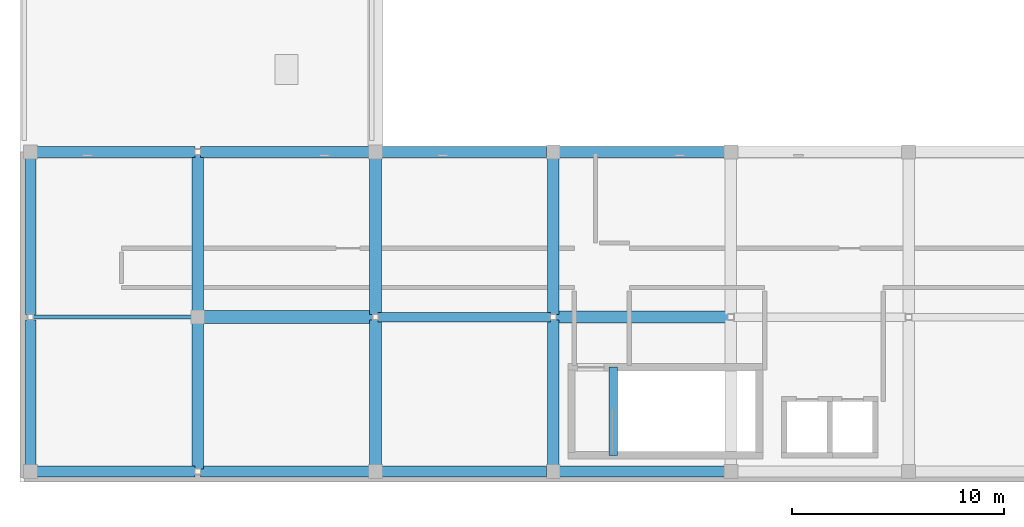
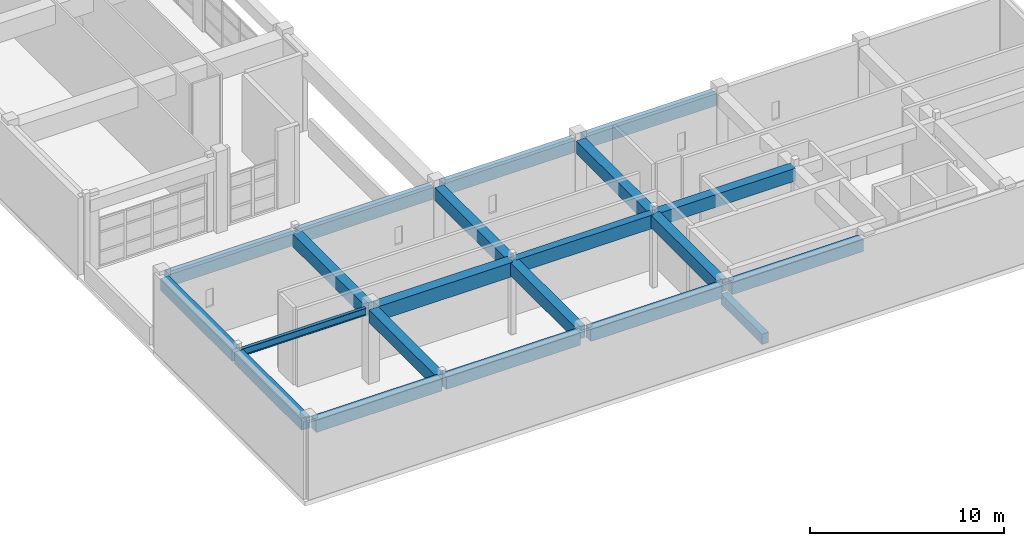
# One storey, part 10 of 78: 21 beams.
"""IFC4 building model written with IfcOpenShell, lengths in metres."""

from ifc_helpers import new_model, si_unit, direction, frame, origin, origin_2d, place, context, subcontext, project, spatial, rectangle, i_section, extrude, material, material_profile, profile_set, type_object, element, save


model = new_model("IFC4")

# Units and contexts
model_context = context("Model", 3, precision=1e-05, world=origin(), true_north=direction((0.0, 1.0)))
body_context = subcontext(model_context, "Body", "Model", "MODEL_VIEW")
ifc_project = project(units=[si_unit("LENGTHUNIT", "METRE"), si_unit("AREAUNIT", "SQUARE_METRE"), si_unit("VOLUMEUNIT", "CUBIC_METRE"), si_unit("PLANEANGLEUNIT", "RADIAN"), si_unit("MASSUNIT", "GRAM", prefix="KILO")], contexts=[model_context])

# Site, building, storey
site_placement = place(None, origin())
site = spatial("IfcSite", under=ifc_project, at=site_placement, CompositionType="ELEMENT")
building_placement = place(site_placement, origin())
building = spatial("IfcBuilding", under=site, at=building_placement, Name="Quendrovan Civic Courthouse", CompositionType="ELEMENT")
storey_placement = place(building_placement, frame((0.0, 0.0, 20.39990234375)))
storey = spatial("IfcBuildingStorey", under=building, at=storey_placement, Name="L05", CompositionType="ELEMENT", Elevation=20.39990234375)

# Beams
ifc_material_1 = material(Name="Concrete C40/50", Category="concrete")
ifc_material_profile_1 = material_profile(ifc_material_1, rectangle(XDim=0.39990234375, YDim=0.64990234375, at=origin_2d()), Name="RC-BM-400x650")
ifc_profile_set_1 = profile_set([ifc_material_profile_1], Name="Concrete C40/50")
beam_type_1 = type_object("IfcBeamType", Name="BM-RC650", PredefinedType="JOIST", material=ifc_profile_set_1)
beam_1_placement = place(storey_placement, frame((28.050048828125, 1.25, -0.324951171875), z_axis=(0.0, 1.0, 0.0), x_axis=(-1.0, 0.0, 0.0)))
element("IfcBeam", 1, at=beam_1_placement, inside=storey, type_object=beam_type_1, Name="L05 Stair ST5 Landing Trimmer Beam", PredefinedType="JOIST", context=body_context, shape_type="SweptSolid", body=[
    extrude(rectangle(XDim=0.39990234375, YDim=0.64990234375, at=origin_2d()), origin(), (0.0, 0.0, 1.0), 4.199951171875),
])
ifc_material_profile_2 = material_profile(ifc_material_1, rectangle(XDim=0.5, YDim=0.75, at=origin_2d()), Name="RC-BM-500x750")
ifc_profile_set_2 = profile_set([ifc_material_profile_2], Name="Concrete C40/50")
beam_type_2 = type_object("IfcBeamType", Name="BM-RC750", PredefinedType="SPANDREL", material=ifc_profile_set_2)
beam_2_placement = place(storey_placement, frame((0.804931640625, 0.5, 4.28515625), z_axis=(1.0, 0.0, 0.0), x_axis=(0.0, 1.0, 0.0)))
element("IfcBeam", 2, at=beam_2_placement, inside=storey, type_object=beam_type_2, Name="L05 Girder X1003", PredefinedType="SPANDREL", context=body_context, shape_type="SweptSolid", body=[
    extrude(rectangle(XDim=0.5, YDim=0.75, at=origin_2d()), origin(), (0.0, 0.0, 1.0), 7.465087890625),
])
beam_3_placement = place(storey_placement, frame((8.530029296875, 0.5, 4.28515625), z_axis=(1.0, 0.0, 0.0), x_axis=(0.0, 1.0, 0.0)))
element("IfcBeam", 3, at=beam_3_placement, inside=storey, type_object=beam_type_2, Name="L05 Girder X1004", PredefinedType="SPANDREL", context=body_context, shape_type="SweptSolid", body=[
    extrude(rectangle(XDim=0.5, YDim=0.75, at=origin_2d()), origin(), (0.0, 0.0, 1.0), 7.965087890625),
])
for number, where, z_axis, x_axis, name in (
    (4, (17.10498046875, 0.5, 4.28515625), (1.0, 0.0, 0.0), (0.0, 1.0, 0.0), "L05 Girder X1005"),
    (5, (25.5048828125, 0.5, 4.28515625), (1.0, 0.0, 0.0), (0.0, 1.0, 0.0), "L05 Girder X1006"),
):
    element("IfcBeam", number, at=place(storey_placement, frame(where, z_axis=z_axis, x_axis=x_axis)), inside=storey, type_object=beam_type_2, Name=name, PredefinedType="SPANDREL", context=body_context, shape_type="SweptSolid", body=[
        extrude(rectangle(XDim=0.5, YDim=0.75, at=origin_2d()), origin(), (0.0, 0.0, 1.0), 7.7900390625),
    ])
beam_4_placement = place(storey_placement, frame((0.804931640625, 15.60009765625, 4.28515625), z_axis=(1.0, 0.0, 0.0), x_axis=(0.0, 1.0, 0.0)))
element("IfcBeam", 6, at=beam_4_placement, inside=storey, type_object=beam_type_2, Name="L05 Girder X1017", PredefinedType="SPANDREL", context=body_context, shape_type="SweptSolid", body=[
    extrude(rectangle(XDim=0.5, YDim=0.75, at=origin_2d()), origin(), (0.0, 0.0, 1.0), 7.465087890625),
])
beam_5_placement = place(storey_placement, frame((8.530029296875, 15.60009765625, 4.28515625), z_axis=(1.0, 0.0, 0.0), x_axis=(0.0, 1.0, 0.0)))
element("IfcBeam", 7, at=beam_5_placement, inside=storey, type_object=beam_type_2, Name="L05 Girder X1018", PredefinedType="SPANDREL", context=body_context, shape_type="SweptSolid", body=[
    extrude(rectangle(XDim=0.5, YDim=0.75, at=origin_2d()), origin(), (0.0, 0.0, 1.0), 7.965087890625),
])
for number, where, z_axis, x_axis, name in (
    (8, (17.10498046875, 15.60009765625, 4.28515625), (1.0, 0.0, 0.0), (0.0, 1.0, 0.0), "L05 Girder X1019"),
    (9, (25.5048828125, 15.60009765625, 4.28515625), (1.0, 0.0, 0.0), (0.0, 1.0, 0.0), "L05 Girder X1020"),
):
    element("IfcBeam", number, at=place(storey_placement, frame(where, z_axis=z_axis, x_axis=x_axis)), inside=storey, type_object=beam_type_2, Name=name, PredefinedType="SPANDREL", context=body_context, shape_type="SweptSolid", body=[
        extrude(rectangle(XDim=0.5, YDim=0.75, at=origin_2d()), origin(), (0.0, 0.0, 1.0), 7.7900390625),
    ])
beam_6_placement = place(storey_placement, frame((0.5, 0.804931640625, 4.28515625), z_axis=(0.0, 1.0, 0.0), x_axis=(-1.0, 0.0, 0.0)))
element("IfcBeam", 10, at=beam_6_placement, inside=storey, type_object=beam_type_2, Name="L05 Girder Y1050", PredefinedType="SPANDREL", context=body_context, shape_type="SweptSolid", body=[
    extrude(rectangle(XDim=0.5, YDim=0.75, at=origin_2d()), origin(), (0.0, 0.0, 1.0), 6.864990234375),
])
beam_7_placement = place(storey_placement, frame((0.5, 7.929931640625, 4.28515625), z_axis=(0.0, 1.0, 0.0), x_axis=(-1.0, 0.0, 0.0)))
element("IfcBeam", 11, at=beam_7_placement, inside=storey, type_object=beam_type_2, Name="L05 Girder Y1051", PredefinedType="SPANDREL", context=body_context, shape_type="SweptSolid", body=[
    extrude(rectangle(XDim=0.5, YDim=0.75, at=origin_2d()), origin(), (0.0, 0.0, 1.0), 7.364990234375),
])
ifc_material_profile_3 = material_profile(ifc_material_1, rectangle(XDim=0.550048828125, YDim=0.800048828125, at=origin_2d()), Name="RC-BM-550x800")
ifc_profile_set_3 = profile_set([ifc_material_profile_3], Name="Concrete C40/50")
beam_type_3 = type_object("IfcBeamType", Name="BM-RC800", PredefinedType="BEAM", material=ifc_profile_set_3)
beam_8_placement = place(storey_placement, frame((25.330078125, 7.800048828125, 4.260009765625), z_axis=(1.0, 0.0, 0.0), x_axis=(0.0, 1.0, 0.0)))
element("IfcBeam", 12, at=beam_8_placement, inside=storey, type_object=beam_type_3, Name="L05 Girder X1013", PredefinedType="BEAM", context=body_context, shape_type="SweptSolid", body=[
    extrude(rectangle(XDim=0.550048828125, YDim=0.800048828125, at=origin_2d()), origin(), (0.0, 0.0, 1.0), 8.139892578125),
])
beam_9_placement = place(storey_placement, frame((8.39990234375, 0.6298828125, 4.260009765625), z_axis=(0.0, 1.0, 0.0), x_axis=(-1.0, 0.0, 0.0)))
element("IfcBeam", 13, at=beam_9_placement, inside=storey, type_object=beam_type_3, Name="L05 Girder Y1061", PredefinedType="BEAM", context=body_context, shape_type="SweptSolid", body=[
    extrude(rectangle(XDim=0.550048828125, YDim=0.800048828125, at=origin_2d()), origin(), (0.0, 0.0, 1.0), 6.865234375),
])
beam_10_placement = place(storey_placement, frame((8.39990234375, 8.10498046875, 4.260009765625), z_axis=(0.0, 1.0, 0.0), x_axis=(-1.0, 0.0, 0.0)))
element("IfcBeam", 14, at=beam_10_placement, inside=storey, type_object=beam_type_3, Name="L05 Girder Y1062", PredefinedType="BEAM", context=body_context, shape_type="SweptSolid", body=[
    extrude(rectangle(XDim=0.550048828125, YDim=0.800048828125, at=origin_2d()), origin(), (0.0, 0.0, 1.0), 7.364990234375),
])
beam_11_placement = place(storey_placement, frame((16.800048828125, 0.804931640625, 4.260009765625), z_axis=(0.0, 1.0, 0.0), x_axis=(-1.0, 0.0, 0.0)))
element("IfcBeam", 15, at=beam_11_placement, inside=storey, type_object=beam_type_3, Name="L05 Girder Y1063", PredefinedType="BEAM", context=body_context, shape_type="SweptSolid", body=[
    extrude(rectangle(XDim=0.550048828125, YDim=0.800048828125, at=origin_2d()), origin(), (0.0, 0.0, 1.0), 6.864990234375),
])
beam_12_placement = place(storey_placement, frame((16.800048828125, 7.929931640625, 4.260009765625), z_axis=(0.0, 1.0, 0.0), x_axis=(-1.0, 0.0, 0.0)))
element("IfcBeam", 16, at=beam_12_placement, inside=storey, type_object=beam_type_3, Name="L05 Girder Y1064", PredefinedType="BEAM", context=body_context, shape_type="SweptSolid", body=[
    extrude(rectangle(XDim=0.550048828125, YDim=0.800048828125, at=origin_2d()), origin(), (0.0, 0.0, 1.0), 7.364990234375),
])
beam_13_placement = place(storey_placement, frame((25.199951171875, 0.804931640625, 4.260009765625), z_axis=(0.0, 1.0, 0.0), x_axis=(-1.0, 0.0, 0.0)))
element("IfcBeam", 17, at=beam_13_placement, inside=storey, type_object=beam_type_3, Name="L05 Girder Y1073", PredefinedType="BEAM", context=body_context, shape_type="SweptSolid", body=[
    extrude(rectangle(XDim=0.550048828125, YDim=0.800048828125, at=origin_2d()), origin(), (0.0, 0.0, 1.0), 6.864990234375),
])
beam_14_placement = place(storey_placement, frame((25.199951171875, 7.929931640625, 4.260009765625), z_axis=(0.0, 1.0, 0.0), x_axis=(-1.0, 0.0, 0.0)))
element("IfcBeam", 18, at=beam_14_placement, inside=storey, type_object=beam_type_3, Name="L05 Girder Y1074", PredefinedType="BEAM", context=body_context, shape_type="SweptSolid", body=[
    extrude(rectangle(XDim=0.550048828125, YDim=0.800048828125, at=origin_2d()), origin(), (0.0, 0.0, 1.0), 7.364990234375),
])
ifc_material_2 = material(Name="Concrete C45/55", Category="concrete")
ifc_material_profile_4 = material_profile(ifc_material_2, rectangle(XDim=0.449951171875, YDim=0.85009765625, at=origin_2d()), Name="RC-BM-450x850")
ifc_profile_set_4 = profile_set([ifc_material_profile_4], Name="Concrete C45/55")
beam_type_4 = type_object("IfcBeamType", Name="BM-RC850", PredefinedType="BEAM", material=ifc_profile_set_4)
beam_15_placement = place(storey_placement, frame((16.929931640625, 7.800048828125, 4.235107421875), z_axis=(1.0, 0.0, 0.0), x_axis=(0.0, 1.0, 0.0)))
element("IfcBeam", 19, at=beam_15_placement, inside=storey, type_object=beam_type_4, Name="L05 Girder X1012", PredefinedType="BEAM", context=body_context, shape_type="SweptSolid", body=[
    extrude(rectangle(XDim=0.449951171875, YDim=0.85009765625, at=origin_2d()), origin(), (0.0, 0.0, 1.0), 8.14013671875),
])
ifc_material_profile_5 = material_profile(ifc_material_1, rectangle(XDim=0.60009765625, YDim=0.89990234375, at=origin_2d()), Name="RC-BM-600x900")
ifc_profile_set_5 = profile_set([ifc_material_profile_5], Name="Concrete C40/50")
beam_type_5 = type_object("IfcBeamType", Name="BM-RC900", PredefinedType="BEAM", material=ifc_profile_set_5)
beam_16_placement = place(storey_placement, frame((8.705078125, 7.800048828125, 4.210205078125), z_axis=(1.0, 0.0, 0.0), x_axis=(0.0, 1.0, 0.0)))
element("IfcBeam", 20, at=beam_16_placement, inside=storey, type_object=beam_type_5, Name="L05 Girder X1011", PredefinedType="BEAM", context=body_context, shape_type="SweptSolid", body=[
    extrude(rectangle(XDim=0.60009765625, YDim=0.89990234375, at=origin_2d()), origin(), (0.0, 0.0, 1.0), 7.96484375),
])
ifc_material_3 = material(Name="Steel ASTM A992 Grade 50", Category="steel")
ifc_material_profile_6 = material_profile(ifc_material_3, i_section(OverallWidth=0.18994140625, OverallDepth=0.45703125, WebThickness=0.009033203125, FlangeThickness=0.014404296875, at=origin_2d()), Name="W18X50")
ifc_profile_set_6 = profile_set([ifc_material_profile_6], Name="Steel ASTM A992 Grade 50")
beam_type_6 = type_object("IfcBeamType", Name="BM-STL-W18", PredefinedType="JOIST", material=ifc_profile_set_6)
beam_17_placement = place(storey_placement, frame((0.6298828125, 7.800048828125, 4.431640625), z_axis=(1.0, 0.0, 0.0), x_axis=(0.0, 1.0, 0.0)))
element("IfcBeam", 21, at=beam_17_placement, inside=storey, type_object=beam_type_6, Name="L05 Girder X1010", PredefinedType="JOIST", context=body_context, shape_type="SweptSolid", body=[
    extrude(i_section(OverallWidth=0.18994140625, OverallDepth=0.45703125, WebThickness=0.009033203125, FlangeThickness=0.014404296875, at=origin_2d()), origin(), (0.0, 0.0, 1.0), 7.465087890625),
])

save(model, "model.ifc")
